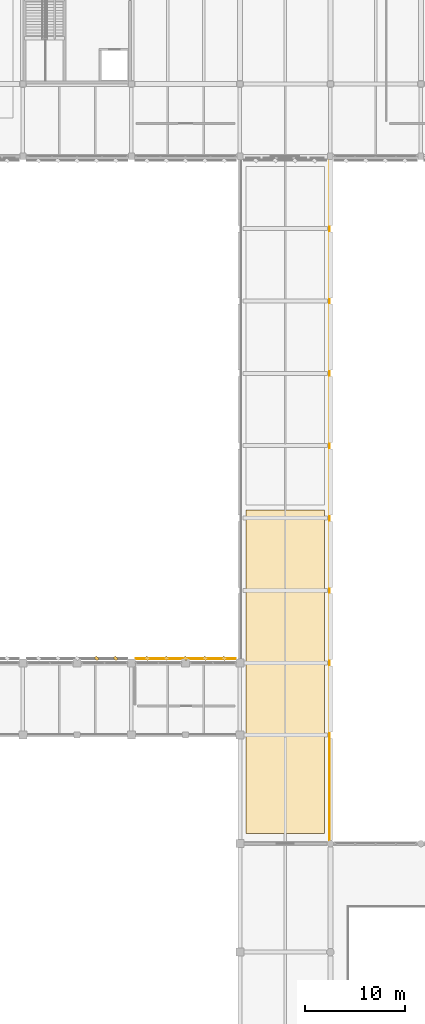
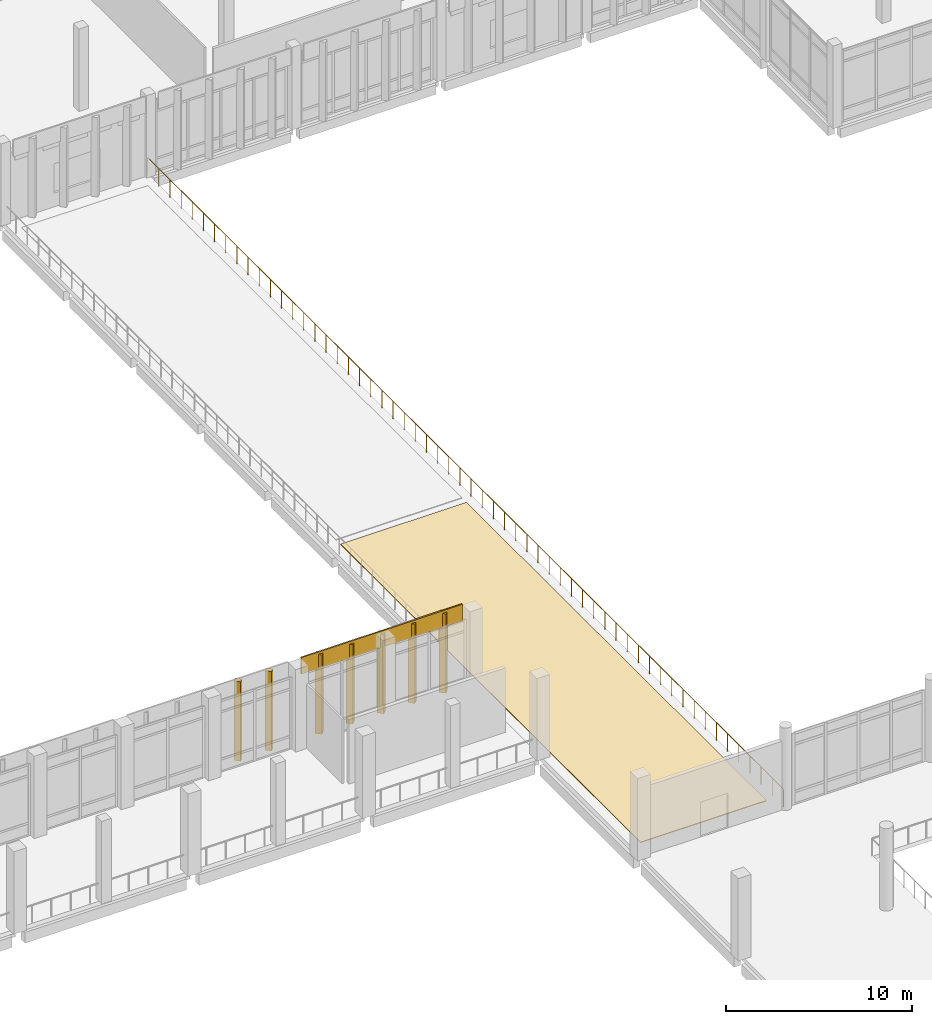
# One storey, part 169 of 180: 9 coverings, 1 railing.
"""IFC4 building model written with IfcOpenShell, lengths in metres."""

from ifc_helpers import new_model, si_unit, direction, frame, origin, origin_2d, place, context, subcontext, project, spatial, polyline, rectangle, circle, outline, extrude, material, layer, layer_set, type_object, element, save


model = new_model("IFC4")

# Units and contexts
model_context = context("Model", 3, precision=1e-05, world=origin(), true_north=direction((0.0, 1.0)))
body_context = subcontext(model_context, "Body", "Model", "MODEL_VIEW")
ifc_project = project(units=[si_unit("LENGTHUNIT", "METRE"), si_unit("AREAUNIT", "SQUARE_METRE"), si_unit("VOLUMEUNIT", "CUBIC_METRE"), si_unit("PLANEANGLEUNIT", "RADIAN"), si_unit("MASSUNIT", "GRAM", prefix="KILO")], contexts=[model_context])

# Site, building, storey
site_placement = place(None, origin())
site = spatial("IfcSite", under=ifc_project, at=site_placement, CompositionType="ELEMENT")
building_placement = place(site_placement, origin())
building = spatial("IfcBuilding", under=site, at=building_placement, Name="Lusvemor Sports Hall", CompositionType="ELEMENT")
storey_placement = place(building_placement, frame((0.0, 0.0, 5.39990234375)))
storey = spatial("IfcBuildingStorey", under=building, at=storey_placement, Name="L01", CompositionType="ELEMENT", Elevation=5.39990234375)

# Coverings
ifc_material_1 = material(Name="Emerald polychrome glazed ceramic cladding on Concrete C40/50 backing", Category="concrete")
ifc_layer_1 = layer(ifc_material_1, 0.0458984375)
ifc_layer_set_1 = layer_set([ifc_layer_1], Name="Emerald polychrome glazed ceramic cladding on Concrete C40/50 backing")
covering_type_1 = type_object("IfcCoveringType", Name="CLAD_WAVE_EMERALD", PredefinedType="CLADDING", material=ifc_layer_set_1)
for number, where, z_axis, x_axis, name in (
    (1, (61.320068359375, 47.239990234375, 0.10009765625), (0.0, 0.0, 1.0), (0.707106781187, 0.707106781187, 0.0), "Patterned Diamond Cladding Rib 1542"),
    (2, (68.280029296875, 47.239990234375, 0.10009765625), (0.0, 0.0, 1.0), (0.707106781187, 0.707106781187, 0.0), "Patterned Diamond Cladding Rib 1558"),
    (3, (72.1201171875, 47.239990234375, 0.10009765625), (0.0, 0.0, 1.0), (0.707106781187, 0.707106781187, 0.0), "Patterned Diamond Cladding Rib 1560"),
):
    element("IfcCovering", number, at=place(storey_placement, frame(where, z_axis=z_axis, x_axis=x_axis)), inside=storey, type_object=covering_type_1, Name=name, PredefinedType="CLADDING", context=body_context, shape_type="SweptSolid", body=[
        extrude(rectangle(XDim=0.280029296875, YDim=0.3798828125, at=origin_2d()), origin(), (0.0, 0.0, 1.0), 5.199951171875),
    ])
ifc_material_2 = material(Name="Warm terracotta Art Nouveau ceramic cladding on Concrete C40/50 backing", Category="masonry")
ifc_layer_2 = layer(ifc_material_2, 0.0380859375)
ifc_layer_set_2 = layer_set([ifc_layer_2], Name="Warm terracotta Art Nouveau ceramic cladding on Concrete C40/50 backing")
covering_type_2 = type_object("IfcCoveringType", Name="CLAD_WAVE_OCHRE", PredefinedType="CLADDING", material=ifc_layer_set_2)
covering_1_placement = place(storey_placement, frame((70.199951171875, 47.18994140625, 4.380126953125), z_axis=(0.0, 0.0, 1.0), x_axis=(1.0, 0.0, 0.0)))
element("IfcCovering", 4, at=covering_1_placement, inside=storey, type_object=covering_type_2, Name="Art Nouveau Spandrel Cornice 1556", PredefinedType="CLADDING", context=body_context, shape_type="SweptSolid", body=[
    extrude(rectangle(XDim=9.97998046875, YDim=0.090087890625, at=origin_2d()), origin(), (0.0, 0.0, 1.0), 1.080078125),
])
ifc_material_3 = material(Name="Shock-absorbing red EPDM athletic running track surface")
ifc_layer_3 = layer(ifc_material_3, 0.0439453125)
ifc_layer_set_3 = layer_set([ifc_layer_3], Name="Shock-absorbing red EPDM athletic running track surface")
covering_type_3 = type_object("IfcCoveringType", Name="COV_TRACK_EPDM", PredefinedType="FLOORING", material=ifc_layer_set_3)
covering_2_placement = place(storey_placement, origin())
element("IfcCovering", 5, at=covering_2_placement, inside=storey, type_object=covering_type_3, Name="Athletic EPDM Surface 5", PredefinedType="FLOORING", context=body_context, shape_type="SweptSolid", body=[
    extrude(outline(polyline([(76.199951171875, 29.800048828125), (84.0, 29.800048828125), (84.0, 62.0), (76.199951171875, 62.0), (76.199951171875, 29.800048828125)])), origin(), (0.0, 0.0, 1.0), 0.044189453125),
])
ifc_material_4 = material(Name="Warm terracotta Art Nouveau ceramic cladding on Concrete C40/50 backing", Category="masonry")
ifc_layer_4 = layer(ifc_material_4, 0.449951171875)
ifc_layer_set_4 = layer_set([ifc_layer_4], Name="Warm terracotta Art Nouveau ceramic cladding on Concrete C40/50 backing")
covering_type_4 = type_object("IfcCoveringType", Name="FIN_BRISE_CER_450", PredefinedType="MOLDING", material=ifc_layer_set_4)
for number, where, z_axis, x_axis, name in (
    (6, (63.239990234375, 47.239990234375, 0.10009765625), (0.0, 0.0, 1.0), (0.707106781187, 0.707106781187, 0.0), "Patterned Diamond Cladding Rib 1543"),
    (7, (66.360107421875, 47.239990234375, 0.10009765625), (0.0, 0.0, 1.0), (0.707106781187, 0.707106781187, 0.0), "Patterned Diamond Cladding Rib 1557"),
    (8, (70.199951171875, 47.239990234375, 0.10009765625), (0.0, 0.0, 1.0), (0.707106781187, 0.707106781187, 0.0), "Patterned Diamond Cladding Rib 1559"),
    (9, (74.0400390625, 47.239990234375, 0.10009765625), (0.0, 0.0, 1.0), (0.707106781187, 0.707106781187, 0.0), "Patterned Diamond Cladding Rib 1561"),
):
    element("IfcCovering", number, at=place(storey_placement, frame(where, z_axis=z_axis, x_axis=x_axis)), inside=storey, type_object=covering_type_4, Name=name, PredefinedType="MOLDING", context=body_context, shape_type="SweptSolid", body=[
        extrude(rectangle(XDim=0.280029296875, YDim=0.3798828125, at=origin_2d()), origin(), (0.0, 0.0, 1.0), 5.199951171875),
    ])

# Railing
ifc_material_5 = material(Name="Bronze-finished wrought-steel Art Nouveau balustrade", Category="steel")
railing_type = type_object("IfcRailingType", Name="RAIL_TERR_GUARD_118", PredefinedType="GUARDRAIL", material=ifc_material_5)
railing_placement = place(storey_placement, frame((84.52001953125, 28.89990234375, 0.0)))
element("IfcRailing", 10, at=railing_placement, inside=storey, type_object=railing_type, Name="Promenade Terrace Garden-Court Guard", PredefinedType="GUARDRAIL", context=body_context, shape_type="SweptSolid", body=[
    extrude(circle(Radius=0.02392578125, at=origin_2d()), frame((0.0, 0.0, 1.15576171875), z_axis=(0.0, 1.0, 0.0), x_axis=(-1.0, 0.0, 0.0)), (0.0, 0.0, 1.0), 68.2001953125),
    extrude(circle(Radius=0.02099609375, at=origin_2d()), origin(), (0.0, 0.0, 1.0), 1.1318359375),
    extrude(circle(Radius=0.02099609375, at=origin_2d()), frame((0.0, 1.196533203125, 0.0)), (0.0, 0.0, 1.0), 1.1318359375),
    extrude(circle(Radius=0.02099609375, at=origin_2d()), frame((0.0, 2.39306640625, 0.0)), (0.0, 0.0, 1.0), 1.1318359375),
    extrude(circle(Radius=0.02099609375, at=origin_2d()), frame((0.0, 3.589599609375, 0.0)), (0.0, 0.0, 1.0), 1.1318359375),
    extrude(circle(Radius=0.02099609375, at=origin_2d()), frame((0.0, 4.785888671875, 0.0)), (0.0, 0.0, 1.0), 1.1318359375),
    extrude(circle(Radius=0.02099609375, at=origin_2d()), frame((0.0, 5.982421875, 0.0)), (0.0, 0.0, 1.0), 1.1318359375),
    extrude(circle(Radius=0.02099609375, at=origin_2d()), frame((0.0, 7.178955078125, 0.0)), (0.0, 0.0, 1.0), 1.1318359375),
    extrude(circle(Radius=0.02099609375, at=origin_2d()), frame((0.0, 8.37548828125, 0.0)), (0.0, 0.0, 1.0), 1.1318359375),
    extrude(circle(Radius=0.02099609375, at=origin_2d()), frame((0.0, 9.572021484375, 0.0)), (0.0, 0.0, 1.0), 1.1318359375),
    extrude(circle(Radius=0.02099609375, at=origin_2d()), frame((0.0, 10.7685546875, 0.0)), (0.0, 0.0, 1.0), 1.1318359375),
    extrude(circle(Radius=0.02099609375, at=origin_2d()), frame((0.0, 11.96484375, 0.0)), (0.0, 0.0, 1.0), 1.1318359375),
    extrude(circle(Radius=0.02099609375, at=origin_2d()), frame((0.0, 13.161376953125, 0.0)), (0.0, 0.0, 1.0), 1.1318359375),
    extrude(circle(Radius=0.02099609375, at=origin_2d()), frame((0.0, 14.35791015625, 0.0)), (0.0, 0.0, 1.0), 1.1318359375),
    extrude(circle(Radius=0.02099609375, at=origin_2d()), frame((0.0, 15.554443359375, 0.0)), (0.0, 0.0, 1.0), 1.1318359375),
    extrude(circle(Radius=0.02099609375, at=origin_2d()), frame((0.0, 16.7509765625, 0.0)), (0.0, 0.0, 1.0), 1.1318359375),
    extrude(circle(Radius=0.02099609375, at=origin_2d()), frame((0.0, 17.947509765625, 0.0)), (0.0, 0.0, 1.0), 1.1318359375),
    extrude(circle(Radius=0.02099609375, at=origin_2d()), frame((0.0, 19.143798828125, 0.0)), (0.0, 0.0, 1.0), 1.1318359375),
    extrude(circle(Radius=0.02099609375, at=origin_2d()), frame((0.0, 20.34033203125, 0.0)), (0.0, 0.0, 1.0), 1.1318359375),
    extrude(circle(Radius=0.02099609375, at=origin_2d()), frame((0.0, 21.536865234375, 0.0)), (0.0, 0.0, 1.0), 1.1318359375),
    extrude(circle(Radius=0.02099609375, at=origin_2d()), frame((0.0, 22.7333984375, 0.0)), (0.0, 0.0, 1.0), 1.1318359375),
    extrude(circle(Radius=0.02099609375, at=origin_2d()), frame((0.0, 23.929931640625, 0.0)), (0.0, 0.0, 1.0), 1.1318359375),
    extrude(circle(Radius=0.02099609375, at=origin_2d()), frame((0.0, 25.12646484375, 0.0)), (0.0, 0.0, 1.0), 1.1318359375),
    extrude(circle(Radius=0.02099609375, at=origin_2d()), frame((0.0, 26.322998046875, 0.0)), (0.0, 0.0, 1.0), 1.1318359375),
    extrude(circle(Radius=0.02099609375, at=origin_2d()), frame((0.0, 27.519287109375, 0.0)), (0.0, 0.0, 1.0), 1.1318359375),
    extrude(circle(Radius=0.02099609375, at=origin_2d()), frame((0.0, 28.7158203125, 0.0)), (0.0, 0.0, 1.0), 1.1318359375),
    extrude(circle(Radius=0.02099609375, at=origin_2d()), frame((0.0, 29.912353515625, 0.0)), (0.0, 0.0, 1.0), 1.1318359375),
    extrude(circle(Radius=0.02099609375, at=origin_2d()), frame((0.0, 31.10888671875, 0.0)), (0.0, 0.0, 1.0), 1.1318359375),
    extrude(circle(Radius=0.02099609375, at=origin_2d()), frame((0.0, 32.305419921875, 0.0)), (0.0, 0.0, 1.0), 1.1318359375),
    extrude(circle(Radius=0.02099609375, at=origin_2d()), frame((0.0, 33.501953125, 0.0)), (0.0, 0.0, 1.0), 1.1318359375),
    extrude(circle(Radius=0.02099609375, at=origin_2d()), frame((0.0, 34.6982421875, 0.0)), (0.0, 0.0, 1.0), 1.1318359375),
    extrude(circle(Radius=0.02099609375, at=origin_2d()), frame((0.0, 35.894775390625, 0.0)), (0.0, 0.0, 1.0), 1.1318359375),
    extrude(circle(Radius=0.02099609375, at=origin_2d()), frame((0.0, 37.09130859375, 0.0)), (0.0, 0.0, 1.0), 1.1318359375),
    extrude(circle(Radius=0.02099609375, at=origin_2d()), frame((0.0, 38.287841796875, 0.0)), (0.0, 0.0, 1.0), 1.1318359375),
    extrude(circle(Radius=0.02099609375, at=origin_2d()), frame((0.0, 39.484375, 0.0)), (0.0, 0.0, 1.0), 1.1318359375),
    extrude(circle(Radius=0.02099609375, at=origin_2d()), frame((0.0, 40.680908203125, 0.0)), (0.0, 0.0, 1.0), 1.1318359375),
    extrude(circle(Radius=0.02099609375, at=origin_2d()), frame((0.0, 41.877197265625, 0.0)), (0.0, 0.0, 1.0), 1.1318359375),
    extrude(circle(Radius=0.02099609375, at=origin_2d()), frame((0.0, 43.07373046875, 0.0)), (0.0, 0.0, 1.0), 1.1318359375),
    extrude(circle(Radius=0.02099609375, at=origin_2d()), frame((0.0, 44.270263671875, 0.0)), (0.0, 0.0, 1.0), 1.1318359375),
    extrude(circle(Radius=0.02099609375, at=origin_2d()), frame((0.0, 45.466796875, 0.0)), (0.0, 0.0, 1.0), 1.1318359375),
    extrude(circle(Radius=0.02099609375, at=origin_2d()), frame((0.0, 46.663330078125, 0.0)), (0.0, 0.0, 1.0), 1.1318359375),
    extrude(circle(Radius=0.02099609375, at=origin_2d()), frame((0.0, 47.85986328125, 0.0)), (0.0, 0.0, 1.0), 1.1318359375),
    extrude(circle(Radius=0.02099609375, at=origin_2d()), frame((0.0, 49.056396484375, 0.0)), (0.0, 0.0, 1.0), 1.1318359375),
    extrude(circle(Radius=0.02099609375, at=origin_2d()), frame((0.0, 50.252685546875, 0.0)), (0.0, 0.0, 1.0), 1.1318359375),
    extrude(circle(Radius=0.02099609375, at=origin_2d()), frame((0.0, 51.44921875, 0.0)), (0.0, 0.0, 1.0), 1.1318359375),
    extrude(circle(Radius=0.02099609375, at=origin_2d()), frame((0.0, 52.645751953125, 0.0)), (0.0, 0.0, 1.0), 1.1318359375),
    extrude(circle(Radius=0.02099609375, at=origin_2d()), frame((0.0, 53.84228515625, 0.0)), (0.0, 0.0, 1.0), 1.1318359375),
    extrude(circle(Radius=0.02099609375, at=origin_2d()), frame((0.0, 55.038818359375, 0.0)), (0.0, 0.0, 1.0), 1.1318359375),
    extrude(circle(Radius=0.02099609375, at=origin_2d()), frame((0.0, 56.2353515625, 0.0)), (0.0, 0.0, 1.0), 1.1318359375),
    extrude(circle(Radius=0.02099609375, at=origin_2d()), frame((0.0, 57.431640625, 0.0)), (0.0, 0.0, 1.0), 1.1318359375),
    extrude(circle(Radius=0.02099609375, at=origin_2d()), frame((0.0, 58.628173828125, 0.0)), (0.0, 0.0, 1.0), 1.1318359375),
    extrude(circle(Radius=0.02099609375, at=origin_2d()), frame((0.0, 59.82470703125, 0.0)), (0.0, 0.0, 1.0), 1.1318359375),
    extrude(circle(Radius=0.02099609375, at=origin_2d()), frame((0.0, 61.021240234375, 0.0)), (0.0, 0.0, 1.0), 1.1318359375),
    extrude(circle(Radius=0.02099609375, at=origin_2d()), frame((0.0, 62.2177734375, 0.0)), (0.0, 0.0, 1.0), 1.1318359375),
    extrude(circle(Radius=0.02099609375, at=origin_2d()), frame((0.0, 63.414306640625, 0.0)), (0.0, 0.0, 1.0), 1.1318359375),
    extrude(circle(Radius=0.02099609375, at=origin_2d()), frame((0.0, 64.610595703125, 0.0)), (0.0, 0.0, 1.0), 1.1318359375),
    extrude(circle(Radius=0.02099609375, at=origin_2d()), frame((0.0, 65.80712890625, 0.0)), (0.0, 0.0, 1.0), 1.1318359375),
    extrude(circle(Radius=0.02099609375, at=origin_2d()), frame((0.0, 67.003662109375, 0.0)), (0.0, 0.0, 1.0), 1.1318359375),
    extrude(circle(Radius=0.02099609375, at=origin_2d()), frame((0.0, 68.2001953125, 0.0)), (0.0, 0.0, 1.0), 1.1318359375),
])

save(model, "model.ifc")
